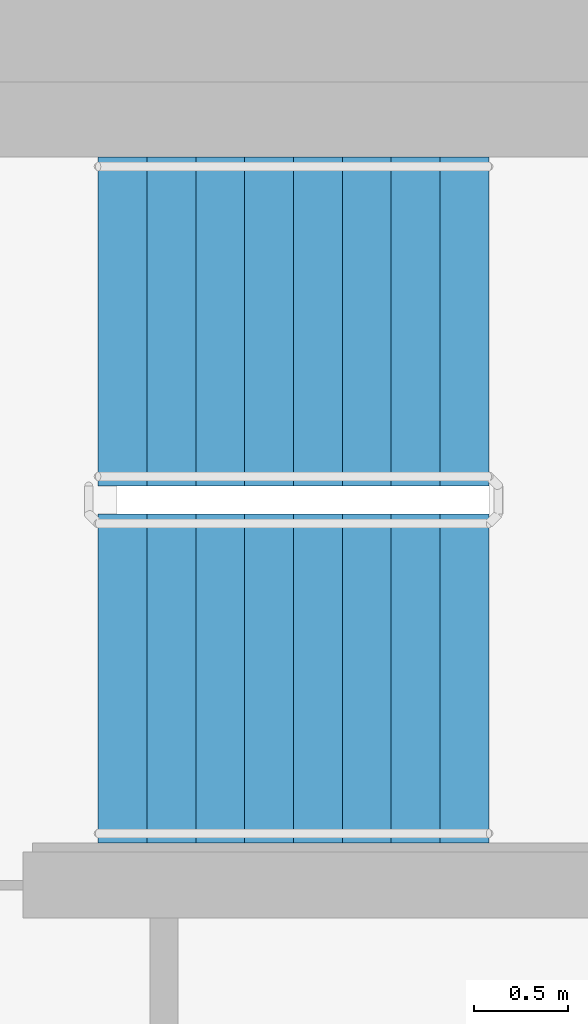
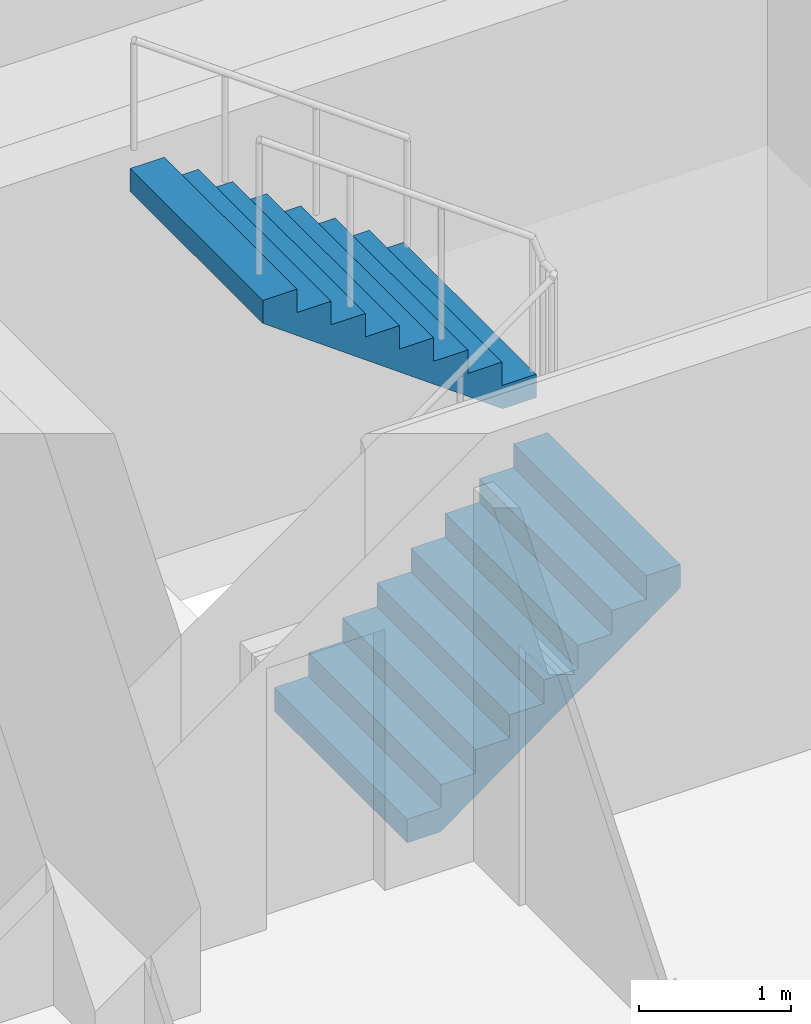
# One storey, part 14 of 19: 2 stair flights, 1 element without a shape of its own.
"""IFC4 building model written with IfcOpenShell, lengths in metres."""

from ifc_helpers import new_model, si_unit, direction, frame, origin, place, context, subcontext, project, spatial, faceted_brep, material, type_object, element, aggregate, save


model = new_model("IFC4")

# Units and contexts
model_context = context("Model", 3, precision=1e-05, world=origin(), true_north=direction((0.0, 1.0)))
body_context = subcontext(model_context, "Body", "Model", "MODEL_VIEW")
ifc_project = project(units=[si_unit("LENGTHUNIT", "METRE"), si_unit("AREAUNIT", "SQUARE_METRE"), si_unit("VOLUMEUNIT", "CUBIC_METRE"), si_unit("PLANEANGLEUNIT", "RADIAN"), si_unit("MASSUNIT", "GRAM", prefix="KILO")], contexts=[model_context])

# Site, building, storey
site_placement = place(None, origin())
site = spatial("IfcSite", under=ifc_project, at=site_placement, CompositionType="ELEMENT")
building_placement = place(site_placement, origin())
building = spatial("IfcBuilding", under=site, at=building_placement, Name="Ipe Terrace Towers", CompositionType="ELEMENT")
storey_placement = place(building_placement, frame((0.0, 0.0, 137.10009765625)))
storey = spatial("IfcBuildingStorey", under=building, at=storey_placement, Name="L37", CompositionType="ELEMENT", Elevation=137.10009765625)

# Stair, stair flights
ifc_material_1 = material(Name="Concrete C30/37", Category="concrete")
stair_type = type_object("IfcStairType", Name="Protected exit stair", PredefinedType="HALF_TURN_STAIR", material=ifc_material_1)
stair_placement = place(storey_placement, origin())
stair = element("IfcStair", 1, at=stair_placement, inside=storey, type_object=stair_type, Name="L37 Exit stair T1-C1", PredefinedType="HALF_TURN_STAIR")
ifc_material_2 = material(Name="Concrete C30/37", Category="concrete")
stair_flight_type = type_object("IfcStairFlightType", Name="Exit stair flight 1750", PredefinedType="STRAIGHT", material=ifc_material_2)
stair_flight_1_placement = place(storey_placement, frame((-26.300048828125, 2.77490234375, 0.0), z_axis=(0.0, 0.0, 1.0), x_axis=(1.0, 0.0, 0.0)))
stair_flight_1 = element("IfcStairFlight", 2, at=stair_flight_1_placement, type_object=stair_flight_type, Name="T1-ST1 flight 1", NumberOfRisers=9, NumberOfTreads=8, PredefinedType="STRAIGHT", RiserHeight=0.188888889, TreadLength=0.26, context=body_context, shape_type="Brep", body=[
    faceted_brep([(0.255126953125, -0.875, 0.0), (2.080078125, -0.875, 1.325927734375), (2.080078125, -0.875, 1.51123046875), (1.820068359375, -0.875, 1.51123046875), (1.820068359375, -0.875, 1.322265625), (1.56005859375, -0.875, 1.322265625), (1.56005859375, -0.875, 1.13330078125), (1.300048828125, -0.875, 1.13330078125), (1.300048828125, -0.875, 0.9443359375), (1.0400390625, -0.875, 0.9443359375), (1.0400390625, -0.875, 0.755615234375), (0.780029296875, -0.875, 0.755615234375), (0.780029296875, -0.875, 0.566650390625), (0.52001953125, -0.875, 0.566650390625), (0.52001953125, -0.875, 0.377685546875), (0.260009765625, -0.875, 0.377685546875), (0.260009765625, -0.875, 0.18896484375), (0.0, -0.875, 0.18896484375), (0.0, -0.875, 0.0), (0.0, 0.875, 0.0), (0.0, 0.875, 0.18896484375), (0.260009765625, 0.875, 0.18896484375), (0.260009765625, 0.875, 0.377685546875), (0.52001953125, 0.875, 0.377685546875), (0.52001953125, 0.875, 0.566650390625), (0.780029296875, 0.875, 0.566650390625), (0.780029296875, 0.875, 0.755615234375), (1.0400390625, 0.875, 0.755615234375), (1.0400390625, 0.875, 0.9443359375), (1.300048828125, 0.875, 0.9443359375), (1.300048828125, 0.875, 1.13330078125), (1.56005859375, 0.875, 1.13330078125), (1.56005859375, 0.875, 1.322265625), (1.820068359375, 0.875, 1.322265625), (1.820068359375, 0.875, 1.51123046875), (2.080078125, 0.875, 1.51123046875), (2.080078125, 0.875, 1.325927734375), (0.255126953125, 0.875, 0.0), (0.0, -0.300048828125, 0.18896484375), (0.0, -0.1201171875, 0.18896484375), (0.0, -0.06005859375, 0.18896484375), (0.0, -0.030029296875, 0.18896484375), (0.0, -0.010009765625, 0.18896484375), (0.0, 0.0, 0.18896484375), (0.0, 0.010009765625, 0.18896484375), (0.0, 0.030029296875, 0.18896484375), (0.0, 0.06005859375, 0.18896484375), (0.0, 0.1201171875, 0.18896484375), (0.0, 0.300048828125, 0.18896484375), (0.0, 0.300048828125, 0.0), (0.0, 0.1201171875, 0.0), (0.0, 0.06005859375, 0.0), (0.0, 0.030029296875, 0.0), (0.0, 0.010009765625, 0.0), (0.0, 0.0, 0.0), (0.0, -0.010009765625, 0.0), (0.0, -0.030029296875, 0.0), (0.0, -0.06005859375, 0.0), (0.0, -0.1201171875, 0.0), (0.0, -0.300048828125, 0.0), (0.260009765625, -0.300048828125, 0.18896484375), (0.260009765625, -0.1201171875, 0.18896484375), (0.260009765625, -0.06005859375, 0.18896484375), (0.260009765625, -0.030029296875, 0.18896484375), (0.260009765625, -0.010009765625, 0.18896484375), (0.260009765625, 0.0, 0.18896484375), (0.260009765625, 0.010009765625, 0.18896484375), (0.260009765625, 0.030029296875, 0.18896484375), (0.260009765625, 0.06005859375, 0.18896484375), (0.260009765625, 0.1201171875, 0.18896484375), (0.260009765625, 0.300048828125, 0.18896484375), (0.260009765625, -0.300048828125, 0.377685546875), (0.260009765625, -0.1201171875, 0.377685546875), (0.260009765625, -0.06005859375, 0.377685546875), (0.260009765625, -0.030029296875, 0.377685546875), (0.260009765625, -0.010009765625, 0.377685546875), (0.260009765625, 0.0, 0.377685546875), (0.260009765625, 0.010009765625, 0.377685546875), (0.260009765625, 0.030029296875, 0.377685546875), (0.260009765625, 0.06005859375, 0.377685546875), (0.260009765625, 0.1201171875, 0.377685546875), (0.260009765625, 0.300048828125, 0.377685546875), (0.52001953125, -0.300048828125, 0.377685546875), (0.52001953125, -0.1201171875, 0.377685546875), (0.52001953125, -0.06005859375, 0.377685546875), (0.52001953125, -0.030029296875, 0.377685546875), (0.52001953125, -0.010009765625, 0.377685546875), (0.52001953125, 0.0, 0.377685546875), (0.52001953125, 0.010009765625, 0.377685546875), (0.52001953125, 0.030029296875, 0.377685546875), (0.52001953125, 0.06005859375, 0.377685546875), (0.52001953125, 0.1201171875, 0.377685546875), (0.52001953125, 0.300048828125, 0.377685546875), (0.52001953125, -0.300048828125, 0.566650390625), (0.52001953125, -0.1201171875, 0.566650390625), (0.52001953125, -0.06005859375, 0.566650390625), (0.52001953125, -0.030029296875, 0.566650390625), (0.52001953125, -0.010009765625, 0.566650390625), (0.52001953125, 0.0, 0.566650390625), (0.52001953125, 0.010009765625, 0.566650390625), (0.52001953125, 0.030029296875, 0.566650390625), (0.52001953125, 0.06005859375, 0.566650390625), (0.52001953125, 0.1201171875, 0.566650390625), (0.52001953125, 0.300048828125, 0.566650390625), (0.780029296875, -0.300048828125, 0.566650390625), (0.780029296875, -0.1201171875, 0.566650390625), (0.780029296875, -0.06005859375, 0.566650390625), (0.780029296875, -0.030029296875, 0.566650390625), (0.780029296875, -0.010009765625, 0.566650390625), (0.780029296875, 0.0, 0.566650390625), (0.780029296875, 0.010009765625, 0.566650390625), (0.780029296875, 0.030029296875, 0.566650390625), (0.780029296875, 0.06005859375, 0.566650390625), (0.780029296875, 0.1201171875, 0.566650390625), (0.780029296875, 0.300048828125, 0.566650390625), (0.780029296875, -0.300048828125, 0.755615234375), (0.780029296875, -0.1201171875, 0.755615234375), (0.780029296875, -0.06005859375, 0.755615234375), (0.780029296875, -0.030029296875, 0.755615234375), (0.780029296875, -0.010009765625, 0.755615234375), (0.780029296875, 0.0, 0.755615234375), (0.780029296875, 0.010009765625, 0.755615234375), (0.780029296875, 0.030029296875, 0.755615234375), (0.780029296875, 0.06005859375, 0.755615234375), (0.780029296875, 0.1201171875, 0.755615234375), (0.780029296875, 0.300048828125, 0.755615234375), (1.0400390625, -0.300048828125, 0.755615234375), (1.0400390625, -0.1201171875, 0.755615234375), (1.0400390625, -0.06005859375, 0.755615234375), (1.0400390625, -0.030029296875, 0.755615234375), (1.0400390625, -0.010009765625, 0.755615234375), (1.0400390625, 0.0, 0.755615234375), (1.0400390625, 0.010009765625, 0.755615234375), (1.0400390625, 0.030029296875, 0.755615234375), (1.0400390625, 0.06005859375, 0.755615234375), (1.0400390625, 0.1201171875, 0.755615234375), (1.0400390625, 0.300048828125, 0.755615234375), (1.0400390625, -0.300048828125, 0.9443359375), (1.0400390625, -0.1201171875, 0.9443359375), (1.0400390625, -0.06005859375, 0.9443359375), (1.0400390625, -0.030029296875, 0.9443359375), (1.0400390625, -0.010009765625, 0.9443359375), (1.0400390625, 0.0, 0.9443359375), (1.0400390625, 0.010009765625, 0.9443359375), (1.0400390625, 0.030029296875, 0.9443359375), (1.0400390625, 0.06005859375, 0.9443359375), (1.0400390625, 0.1201171875, 0.9443359375), (1.0400390625, 0.300048828125, 0.9443359375), (1.300048828125, -0.300048828125, 0.9443359375), (1.300048828125, -0.1201171875, 0.9443359375), (1.300048828125, -0.06005859375, 0.9443359375), (1.300048828125, -0.030029296875, 0.9443359375), (1.300048828125, -0.010009765625, 0.9443359375), (1.300048828125, 0.0, 0.9443359375), (1.300048828125, 0.010009765625, 0.9443359375), (1.300048828125, 0.030029296875, 0.9443359375), (1.300048828125, 0.06005859375, 0.9443359375), (1.300048828125, 0.1201171875, 0.9443359375), (1.300048828125, 0.300048828125, 0.9443359375), (1.300048828125, -0.300048828125, 1.13330078125), (1.300048828125, -0.1201171875, 1.13330078125), (1.300048828125, -0.06005859375, 1.13330078125), (1.300048828125, -0.030029296875, 1.13330078125), (1.300048828125, -0.010009765625, 1.13330078125), (1.300048828125, 0.0, 1.13330078125), (1.300048828125, 0.010009765625, 1.13330078125), (1.300048828125, 0.030029296875, 1.13330078125), (1.300048828125, 0.06005859375, 1.13330078125), (1.300048828125, 0.1201171875, 1.13330078125), (1.300048828125, 0.300048828125, 1.13330078125), (1.56005859375, -0.300048828125, 1.13330078125), (1.56005859375, -0.1201171875, 1.13330078125), (1.56005859375, -0.06005859375, 1.13330078125), (1.56005859375, -0.030029296875, 1.13330078125), (1.56005859375, -0.010009765625, 1.13330078125), (1.56005859375, 0.0, 1.13330078125), (1.56005859375, 0.010009765625, 1.13330078125), (1.56005859375, 0.030029296875, 1.13330078125), (1.56005859375, 0.06005859375, 1.13330078125), (1.56005859375, 0.1201171875, 1.13330078125), (1.56005859375, 0.300048828125, 1.13330078125), (1.56005859375, -0.300048828125, 1.322265625), (1.56005859375, -0.1201171875, 1.322265625), (1.56005859375, -0.06005859375, 1.322265625), (1.56005859375, -0.030029296875, 1.322265625), (1.56005859375, -0.010009765625, 1.322265625), (1.56005859375, 0.0, 1.322265625), (1.56005859375, 0.010009765625, 1.322265625), (1.56005859375, 0.030029296875, 1.322265625), (1.56005859375, 0.06005859375, 1.322265625), (1.56005859375, 0.1201171875, 1.322265625), (1.56005859375, 0.300048828125, 1.322265625), (1.820068359375, -0.300048828125, 1.322265625), (1.820068359375, -0.1201171875, 1.322265625), (1.820068359375, -0.06005859375, 1.322265625), (1.820068359375, -0.030029296875, 1.322265625), (1.820068359375, -0.010009765625, 1.322265625), (1.820068359375, 0.0, 1.322265625), (1.820068359375, 0.010009765625, 1.322265625), (1.820068359375, 0.030029296875, 1.322265625), (1.820068359375, 0.06005859375, 1.322265625), (1.820068359375, 0.1201171875, 1.322265625), (1.820068359375, 0.300048828125, 1.322265625), (1.820068359375, -0.300048828125, 1.51123046875), (1.820068359375, -0.1201171875, 1.51123046875), (1.820068359375, -0.06005859375, 1.51123046875), (1.820068359375, -0.030029296875, 1.51123046875), (1.820068359375, -0.010009765625, 1.51123046875), (1.820068359375, 0.0, 1.51123046875), (1.820068359375, 0.010009765625, 1.51123046875), (1.820068359375, 0.030029296875, 1.51123046875), (1.820068359375, 0.06005859375, 1.51123046875), (1.820068359375, 0.1201171875, 1.51123046875), (1.820068359375, 0.300048828125, 1.51123046875), (2.080078125, -0.300048828125, 1.51123046875), (2.080078125, -0.1201171875, 1.51123046875), (2.080078125, -0.06005859375, 1.51123046875), (2.080078125, -0.030029296875, 1.51123046875), (2.080078125, -0.010009765625, 1.51123046875), (2.080078125, 0.0, 1.51123046875), (2.080078125, 0.010009765625, 1.51123046875), (2.080078125, 0.030029296875, 1.51123046875), (2.080078125, 0.06005859375, 1.51123046875), (2.080078125, 0.1201171875, 1.51123046875), (2.080078125, 0.300048828125, 1.51123046875), (2.080078125, -0.300048828125, 1.325927734375), (2.080078125, -0.1201171875, 1.325927734375), (2.080078125, -0.06005859375, 1.325927734375), (2.080078125, -0.030029296875, 1.325927734375), (2.080078125, -0.010009765625, 1.325927734375), (2.080078125, 0.0, 1.325927734375), (2.080078125, 0.010009765625, 1.325927734375), (2.080078125, 0.030029296875, 1.325927734375), (2.080078125, 0.06005859375, 1.325927734375), (2.080078125, 0.1201171875, 1.325927734375), (2.080078125, 0.300048828125, 1.325927734375), (0.255126953125, -0.300048828125, 0.0), (0.255126953125, -0.1201171875, 0.0), (0.255126953125, -0.06005859375, 0.0), (0.255126953125, -0.030029296875, 0.0), (0.255126953125, -0.010009765625, 0.0), (0.255126953125, 0.0, 0.0), (0.255126953125, 0.010009765625, 0.0), (0.255126953125, 0.030029296875, 0.0), (0.255126953125, 0.06005859375, 0.0), (0.255126953125, 0.1201171875, 0.0), (0.255126953125, 0.300048828125, 0.0)], [[[0, 1, 2, 3, 4, 5, 6, 7, 8, 9, 10, 11, 12, 13, 14, 15, 16, 17, 18]], [[19, 20, 21, 22, 23, 24, 25, 26, 27, 28, 29, 30, 31, 32, 33, 34, 35, 36, 37]], [[17, 38, 39, 40, 41, 42, 43, 44, 45, 46, 47, 48, 20, 19, 49, 50, 51, 52, 53, 54, 55, 56, 57, 58, 59, 18]], [[16, 60, 61, 62, 63, 64, 65, 66, 67, 68, 69, 70, 21, 20, 48, 47, 46, 45, 44, 43, 42, 41, 40, 39, 38, 17]], [[15, 71, 72, 73, 74, 75, 76, 77, 78, 79, 80, 81, 22, 21, 70, 69, 68, 67, 66, 65, 64, 63, 62, 61, 60, 16]], [[14, 82, 83, 84, 85, 86, 87, 88, 89, 90, 91, 92, 23, 22, 81, 80, 79, 78, 77, 76, 75, 74, 73, 72, 71, 15]], [[13, 93, 94, 95, 96, 97, 98, 99, 100, 101, 102, 103, 24, 23, 92, 91, 90, 89, 88, 87, 86, 85, 84, 83, 82, 14]], [[12, 104, 105, 106, 107, 108, 109, 110, 111, 112, 113, 114, 25, 24, 103, 102, 101, 100, 99, 98, 97, 96, 95, 94, 93, 13]], [[11, 115, 116, 117, 118, 119, 120, 121, 122, 123, 124, 125, 26, 25, 114, 113, 112, 111, 110, 109, 108, 107, 106, 105, 104, 12]], [[10, 126, 127, 128, 129, 130, 131, 132, 133, 134, 135, 136, 27, 26, 125, 124, 123, 122, 121, 120, 119, 118, 117, 116, 115, 11]], [[9, 137, 138, 139, 140, 141, 142, 143, 144, 145, 146, 147, 28, 27, 136, 135, 134, 133, 132, 131, 130, 129, 128, 127, 126, 10]], [[8, 148, 149, 150, 151, 152, 153, 154, 155, 156, 157, 158, 29, 28, 147, 146, 145, 144, 143, 142, 141, 140, 139, 138, 137, 9]], [[7, 159, 160, 161, 162, 163, 164, 165, 166, 167, 168, 169, 30, 29, 158, 157, 156, 155, 154, 153, 152, 151, 150, 149, 148, 8]], [[6, 170, 171, 172, 173, 174, 175, 176, 177, 178, 179, 180, 31, 30, 169, 168, 167, 166, 165, 164, 163, 162, 161, 160, 159, 7]], [[5, 181, 182, 183, 184, 185, 186, 187, 188, 189, 190, 191, 32, 31, 180, 179, 178, 177, 176, 175, 174, 173, 172, 171, 170, 6]], [[4, 192, 193, 194, 195, 196, 197, 198, 199, 200, 201, 202, 33, 32, 191, 190, 189, 188, 187, 186, 185, 184, 183, 182, 181, 5]], [[3, 203, 204, 205, 206, 207, 208, 209, 210, 211, 212, 213, 34, 33, 202, 201, 200, 199, 198, 197, 196, 195, 194, 193, 192, 4]], [[2, 214, 215, 216, 217, 218, 219, 220, 221, 222, 223, 224, 35, 34, 213, 212, 211, 210, 209, 208, 207, 206, 205, 204, 203, 3]], [[1, 225, 226, 227, 228, 229, 230, 231, 232, 233, 234, 235, 36, 35, 224, 223, 222, 221, 220, 219, 218, 217, 216, 215, 214, 2]], [[0, 236, 237, 238, 239, 240, 241, 242, 243, 244, 245, 246, 37, 36, 235, 234, 233, 232, 231, 230, 229, 228, 227, 226, 225, 1]], [[18, 59, 58, 57, 56, 55, 54, 53, 52, 51, 50, 49, 19, 37, 246, 245, 244, 243, 242, 241, 240, 239, 238, 237, 236, 0]]]),
])
stair_flight_2_placement = place(storey_placement, frame((-24.219970703125, 4.675048828125, 1.699951171875), z_axis=(0.0, 0.0, 1.0), x_axis=(-1.0, 0.0, 0.0)))
stair_flight_2 = element("IfcStairFlight", 3, at=stair_flight_2_placement, type_object=stair_flight_type, Name="T1-ST1 flight 2", NumberOfRisers=9, NumberOfTreads=8, PredefinedType="STRAIGHT", RiserHeight=0.188888889, TreadLength=0.26, context=body_context, shape_type="Brep", body=[
    faceted_brep([(0.255126953125, -0.875, 0.0), (2.080078125, -0.875, 1.325927734375), (2.080078125, -0.875, 1.51123046875), (1.820068359375, -0.875, 1.51123046875), (1.820068359375, -0.875, 1.322265625), (1.56005859375, -0.875, 1.322265625), (1.56005859375, -0.875, 1.13330078125), (1.300048828125, -0.875, 1.13330078125), (1.300048828125, -0.875, 0.9443359375), (1.0400390625, -0.875, 0.9443359375), (1.0400390625, -0.875, 0.755615234375), (0.780029296875, -0.875, 0.755615234375), (0.780029296875, -0.875, 0.566650390625), (0.52001953125, -0.875, 0.566650390625), (0.52001953125, -0.875, 0.377685546875), (0.260009765625, -0.875, 0.377685546875), (0.260009765625, -0.875, 0.18896484375), (0.0, -0.875, 0.18896484375), (0.0, -0.875, 0.0), (0.0, 0.875, 0.0), (0.0, 0.875, 0.18896484375), (0.260009765625, 0.875, 0.18896484375), (0.260009765625, 0.875, 0.377685546875), (0.52001953125, 0.875, 0.377685546875), (0.52001953125, 0.875, 0.566650390625), (0.780029296875, 0.875, 0.566650390625), (0.780029296875, 0.875, 0.755615234375), (1.0400390625, 0.875, 0.755615234375), (1.0400390625, 0.875, 0.9443359375), (1.300048828125, 0.875, 0.9443359375), (1.300048828125, 0.875, 1.13330078125), (1.56005859375, 0.875, 1.13330078125), (1.56005859375, 0.875, 1.322265625), (1.820068359375, 0.875, 1.322265625), (1.820068359375, 0.875, 1.51123046875), (2.080078125, 0.875, 1.51123046875), (2.080078125, 0.875, 1.325927734375), (0.255126953125, 0.875, 0.0), (0.0, -0.300048828125, 0.18896484375), (0.0, -0.1201171875, 0.18896484375), (0.0, -0.06005859375, 0.18896484375), (0.0, -0.030029296875, 0.18896484375), (0.0, -0.010009765625, 0.18896484375), (0.0, 0.0, 0.18896484375), (0.0, 0.010009765625, 0.18896484375), (0.0, 0.030029296875, 0.18896484375), (0.0, 0.06005859375, 0.18896484375), (0.0, 0.1201171875, 0.18896484375), (0.0, 0.300048828125, 0.18896484375), (0.0, 0.300048828125, 0.0), (0.0, 0.1201171875, 0.0), (0.0, 0.06005859375, 0.0), (0.0, 0.030029296875, 0.0), (0.0, 0.010009765625, 0.0), (0.0, 0.0, 0.0), (0.0, -0.010009765625, 0.0), (0.0, -0.030029296875, 0.0), (0.0, -0.06005859375, 0.0), (0.0, -0.1201171875, 0.0), (0.0, -0.300048828125, 0.0), (0.260009765625, -0.300048828125, 0.18896484375), (0.260009765625, -0.1201171875, 0.18896484375), (0.260009765625, -0.06005859375, 0.18896484375), (0.260009765625, -0.030029296875, 0.18896484375), (0.260009765625, -0.010009765625, 0.18896484375), (0.260009765625, 0.0, 0.18896484375), (0.260009765625, 0.010009765625, 0.18896484375), (0.260009765625, 0.030029296875, 0.18896484375), (0.260009765625, 0.06005859375, 0.18896484375), (0.260009765625, 0.1201171875, 0.18896484375), (0.260009765625, 0.300048828125, 0.18896484375), (0.260009765625, -0.300048828125, 0.377685546875), (0.260009765625, -0.1201171875, 0.377685546875), (0.260009765625, -0.06005859375, 0.377685546875), (0.260009765625, -0.030029296875, 0.377685546875), (0.260009765625, -0.010009765625, 0.377685546875), (0.260009765625, 0.0, 0.377685546875), (0.260009765625, 0.010009765625, 0.377685546875), (0.260009765625, 0.030029296875, 0.377685546875), (0.260009765625, 0.06005859375, 0.377685546875), (0.260009765625, 0.1201171875, 0.377685546875), (0.260009765625, 0.300048828125, 0.377685546875), (0.52001953125, -0.300048828125, 0.377685546875), (0.52001953125, -0.1201171875, 0.377685546875), (0.52001953125, -0.06005859375, 0.377685546875), (0.52001953125, -0.030029296875, 0.377685546875), (0.52001953125, -0.010009765625, 0.377685546875), (0.52001953125, 0.0, 0.377685546875), (0.52001953125, 0.010009765625, 0.377685546875), (0.52001953125, 0.030029296875, 0.377685546875), (0.52001953125, 0.06005859375, 0.377685546875), (0.52001953125, 0.1201171875, 0.377685546875), (0.52001953125, 0.300048828125, 0.377685546875), (0.52001953125, -0.300048828125, 0.566650390625), (0.52001953125, -0.1201171875, 0.566650390625), (0.52001953125, -0.06005859375, 0.566650390625), (0.52001953125, -0.030029296875, 0.566650390625), (0.52001953125, -0.010009765625, 0.566650390625), (0.52001953125, 0.0, 0.566650390625), (0.52001953125, 0.010009765625, 0.566650390625), (0.52001953125, 0.030029296875, 0.566650390625), (0.52001953125, 0.06005859375, 0.566650390625), (0.52001953125, 0.1201171875, 0.566650390625), (0.52001953125, 0.300048828125, 0.566650390625), (0.780029296875, -0.300048828125, 0.566650390625), (0.780029296875, -0.1201171875, 0.566650390625), (0.780029296875, -0.06005859375, 0.566650390625), (0.780029296875, -0.030029296875, 0.566650390625), (0.780029296875, -0.010009765625, 0.566650390625), (0.780029296875, 0.0, 0.566650390625), (0.780029296875, 0.010009765625, 0.566650390625), (0.780029296875, 0.030029296875, 0.566650390625), (0.780029296875, 0.06005859375, 0.566650390625), (0.780029296875, 0.1201171875, 0.566650390625), (0.780029296875, 0.300048828125, 0.566650390625), (0.780029296875, -0.300048828125, 0.755615234375), (0.780029296875, -0.1201171875, 0.755615234375), (0.780029296875, -0.06005859375, 0.755615234375), (0.780029296875, -0.030029296875, 0.755615234375), (0.780029296875, -0.010009765625, 0.755615234375), (0.780029296875, 0.0, 0.755615234375), (0.780029296875, 0.010009765625, 0.755615234375), (0.780029296875, 0.030029296875, 0.755615234375), (0.780029296875, 0.06005859375, 0.755615234375), (0.780029296875, 0.1201171875, 0.755615234375), (0.780029296875, 0.300048828125, 0.755615234375), (1.0400390625, -0.300048828125, 0.755615234375), (1.0400390625, -0.1201171875, 0.755615234375), (1.0400390625, -0.06005859375, 0.755615234375), (1.0400390625, -0.030029296875, 0.755615234375), (1.0400390625, -0.010009765625, 0.755615234375), (1.0400390625, 0.0, 0.755615234375), (1.0400390625, 0.010009765625, 0.755615234375), (1.0400390625, 0.030029296875, 0.755615234375), (1.0400390625, 0.06005859375, 0.755615234375), (1.0400390625, 0.1201171875, 0.755615234375), (1.0400390625, 0.300048828125, 0.755615234375), (1.0400390625, -0.300048828125, 0.9443359375), (1.0400390625, -0.1201171875, 0.9443359375), (1.0400390625, -0.06005859375, 0.9443359375), (1.0400390625, -0.030029296875, 0.9443359375), (1.0400390625, -0.010009765625, 0.9443359375), (1.0400390625, 0.0, 0.9443359375), (1.0400390625, 0.010009765625, 0.9443359375), (1.0400390625, 0.030029296875, 0.9443359375), (1.0400390625, 0.06005859375, 0.9443359375), (1.0400390625, 0.1201171875, 0.9443359375), (1.0400390625, 0.300048828125, 0.9443359375), (1.300048828125, -0.300048828125, 0.9443359375), (1.300048828125, -0.1201171875, 0.9443359375), (1.300048828125, -0.06005859375, 0.9443359375), (1.300048828125, -0.030029296875, 0.9443359375), (1.300048828125, -0.010009765625, 0.9443359375), (1.300048828125, 0.0, 0.9443359375), (1.300048828125, 0.010009765625, 0.9443359375), (1.300048828125, 0.030029296875, 0.9443359375), (1.300048828125, 0.06005859375, 0.9443359375), (1.300048828125, 0.1201171875, 0.9443359375), (1.300048828125, 0.300048828125, 0.9443359375), (1.300048828125, -0.300048828125, 1.13330078125), (1.300048828125, -0.1201171875, 1.13330078125), (1.300048828125, -0.06005859375, 1.13330078125), (1.300048828125, -0.030029296875, 1.13330078125), (1.300048828125, -0.010009765625, 1.13330078125), (1.300048828125, 0.0, 1.13330078125), (1.300048828125, 0.010009765625, 1.13330078125), (1.300048828125, 0.030029296875, 1.13330078125), (1.300048828125, 0.06005859375, 1.13330078125), (1.300048828125, 0.1201171875, 1.13330078125), (1.300048828125, 0.300048828125, 1.13330078125), (1.56005859375, -0.300048828125, 1.13330078125), (1.56005859375, -0.1201171875, 1.13330078125), (1.56005859375, -0.06005859375, 1.13330078125), (1.56005859375, -0.030029296875, 1.13330078125), (1.56005859375, -0.010009765625, 1.13330078125), (1.56005859375, 0.0, 1.13330078125), (1.56005859375, 0.010009765625, 1.13330078125), (1.56005859375, 0.030029296875, 1.13330078125), (1.56005859375, 0.06005859375, 1.13330078125), (1.56005859375, 0.1201171875, 1.13330078125), (1.56005859375, 0.300048828125, 1.13330078125), (1.56005859375, -0.300048828125, 1.322265625), (1.56005859375, -0.1201171875, 1.322265625), (1.56005859375, -0.06005859375, 1.322265625), (1.56005859375, -0.030029296875, 1.322265625), (1.56005859375, -0.010009765625, 1.322265625), (1.56005859375, 0.0, 1.322265625), (1.56005859375, 0.010009765625, 1.322265625), (1.56005859375, 0.030029296875, 1.322265625), (1.56005859375, 0.06005859375, 1.322265625), (1.56005859375, 0.1201171875, 1.322265625), (1.56005859375, 0.300048828125, 1.322265625), (1.820068359375, -0.300048828125, 1.322265625), (1.820068359375, -0.1201171875, 1.322265625), (1.820068359375, -0.06005859375, 1.322265625), (1.820068359375, -0.030029296875, 1.322265625), (1.820068359375, -0.010009765625, 1.322265625), (1.820068359375, 0.0, 1.322265625), (1.820068359375, 0.010009765625, 1.322265625), (1.820068359375, 0.030029296875, 1.322265625), (1.820068359375, 0.06005859375, 1.322265625), (1.820068359375, 0.1201171875, 1.322265625), (1.820068359375, 0.300048828125, 1.322265625), (1.820068359375, -0.300048828125, 1.51123046875), (1.820068359375, -0.1201171875, 1.51123046875), (1.820068359375, -0.06005859375, 1.51123046875), (1.820068359375, -0.030029296875, 1.51123046875), (1.820068359375, -0.010009765625, 1.51123046875), (1.820068359375, 0.0, 1.51123046875), (1.820068359375, 0.010009765625, 1.51123046875), (1.820068359375, 0.030029296875, 1.51123046875), (1.820068359375, 0.06005859375, 1.51123046875), (1.820068359375, 0.1201171875, 1.51123046875), (1.820068359375, 0.300048828125, 1.51123046875), (2.080078125, -0.300048828125, 1.51123046875), (2.080078125, -0.1201171875, 1.51123046875), (2.080078125, -0.06005859375, 1.51123046875), (2.080078125, -0.030029296875, 1.51123046875), (2.080078125, -0.010009765625, 1.51123046875), (2.080078125, 0.0, 1.51123046875), (2.080078125, 0.010009765625, 1.51123046875), (2.080078125, 0.030029296875, 1.51123046875), (2.080078125, 0.06005859375, 1.51123046875), (2.080078125, 0.1201171875, 1.51123046875), (2.080078125, 0.300048828125, 1.51123046875), (2.080078125, -0.300048828125, 1.325927734375), (2.080078125, -0.1201171875, 1.325927734375), (2.080078125, -0.06005859375, 1.325927734375), (2.080078125, -0.030029296875, 1.325927734375), (2.080078125, -0.010009765625, 1.325927734375), (2.080078125, 0.0, 1.325927734375), (2.080078125, 0.010009765625, 1.325927734375), (2.080078125, 0.030029296875, 1.325927734375), (2.080078125, 0.06005859375, 1.325927734375), (2.080078125, 0.1201171875, 1.325927734375), (2.080078125, 0.300048828125, 1.325927734375), (0.255126953125, -0.300048828125, 0.0), (0.255126953125, -0.1201171875, 0.0), (0.255126953125, -0.06005859375, 0.0), (0.255126953125, -0.030029296875, 0.0), (0.255126953125, -0.010009765625, 0.0), (0.255126953125, 0.0, 0.0), (0.255126953125, 0.010009765625, 0.0), (0.255126953125, 0.030029296875, 0.0), (0.255126953125, 0.06005859375, 0.0), (0.255126953125, 0.1201171875, 0.0), (0.255126953125, 0.300048828125, 0.0)], [[[0, 1, 2, 3, 4, 5, 6, 7, 8, 9, 10, 11, 12, 13, 14, 15, 16, 17, 18]], [[19, 20, 21, 22, 23, 24, 25, 26, 27, 28, 29, 30, 31, 32, 33, 34, 35, 36, 37]], [[17, 38, 39, 40, 41, 42, 43, 44, 45, 46, 47, 48, 20, 19, 49, 50, 51, 52, 53, 54, 55, 56, 57, 58, 59, 18]], [[16, 60, 61, 62, 63, 64, 65, 66, 67, 68, 69, 70, 21, 20, 48, 47, 46, 45, 44, 43, 42, 41, 40, 39, 38, 17]], [[15, 71, 72, 73, 74, 75, 76, 77, 78, 79, 80, 81, 22, 21, 70, 69, 68, 67, 66, 65, 64, 63, 62, 61, 60, 16]], [[14, 82, 83, 84, 85, 86, 87, 88, 89, 90, 91, 92, 23, 22, 81, 80, 79, 78, 77, 76, 75, 74, 73, 72, 71, 15]], [[13, 93, 94, 95, 96, 97, 98, 99, 100, 101, 102, 103, 24, 23, 92, 91, 90, 89, 88, 87, 86, 85, 84, 83, 82, 14]], [[12, 104, 105, 106, 107, 108, 109, 110, 111, 112, 113, 114, 25, 24, 103, 102, 101, 100, 99, 98, 97, 96, 95, 94, 93, 13]], [[11, 115, 116, 117, 118, 119, 120, 121, 122, 123, 124, 125, 26, 25, 114, 113, 112, 111, 110, 109, 108, 107, 106, 105, 104, 12]], [[10, 126, 127, 128, 129, 130, 131, 132, 133, 134, 135, 136, 27, 26, 125, 124, 123, 122, 121, 120, 119, 118, 117, 116, 115, 11]], [[9, 137, 138, 139, 140, 141, 142, 143, 144, 145, 146, 147, 28, 27, 136, 135, 134, 133, 132, 131, 130, 129, 128, 127, 126, 10]], [[8, 148, 149, 150, 151, 152, 153, 154, 155, 156, 157, 158, 29, 28, 147, 146, 145, 144, 143, 142, 141, 140, 139, 138, 137, 9]], [[7, 159, 160, 161, 162, 163, 164, 165, 166, 167, 168, 169, 30, 29, 158, 157, 156, 155, 154, 153, 152, 151, 150, 149, 148, 8]], [[6, 170, 171, 172, 173, 174, 175, 176, 177, 178, 179, 180, 31, 30, 169, 168, 167, 166, 165, 164, 163, 162, 161, 160, 159, 7]], [[5, 181, 182, 183, 184, 185, 186, 187, 188, 189, 190, 191, 32, 31, 180, 179, 178, 177, 176, 175, 174, 173, 172, 171, 170, 6]], [[4, 192, 193, 194, 195, 196, 197, 198, 199, 200, 201, 202, 33, 32, 191, 190, 189, 188, 187, 186, 185, 184, 183, 182, 181, 5]], [[3, 203, 204, 205, 206, 207, 208, 209, 210, 211, 212, 213, 34, 33, 202, 201, 200, 199, 198, 197, 196, 195, 194, 193, 192, 4]], [[2, 214, 215, 216, 217, 218, 219, 220, 221, 222, 223, 224, 35, 34, 213, 212, 211, 210, 209, 208, 207, 206, 205, 204, 203, 3]], [[1, 225, 226, 227, 228, 229, 230, 231, 232, 233, 234, 235, 36, 35, 224, 223, 222, 221, 220, 219, 218, 217, 216, 215, 214, 2]], [[0, 236, 237, 238, 239, 240, 241, 242, 243, 244, 245, 246, 37, 36, 235, 234, 233, 232, 231, 230, 229, 228, 227, 226, 225, 1]], [[18, 59, 58, 57, 56, 55, 54, 53, 52, 51, 50, 49, 19, 37, 246, 245, 244, 243, 242, 241, 240, 239, 238, 237, 236, 0]]]),
])
aggregate(stair, [stair_flight_1, stair_flight_2])

save(model, "model.ifc")
